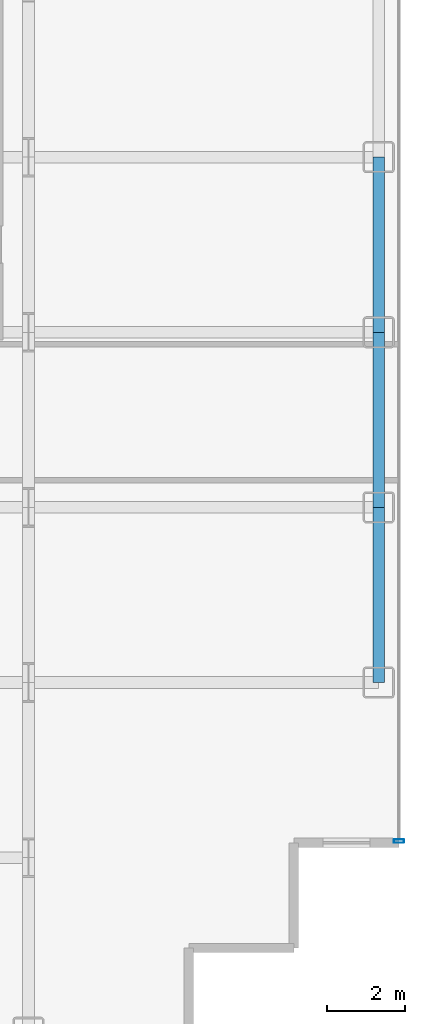
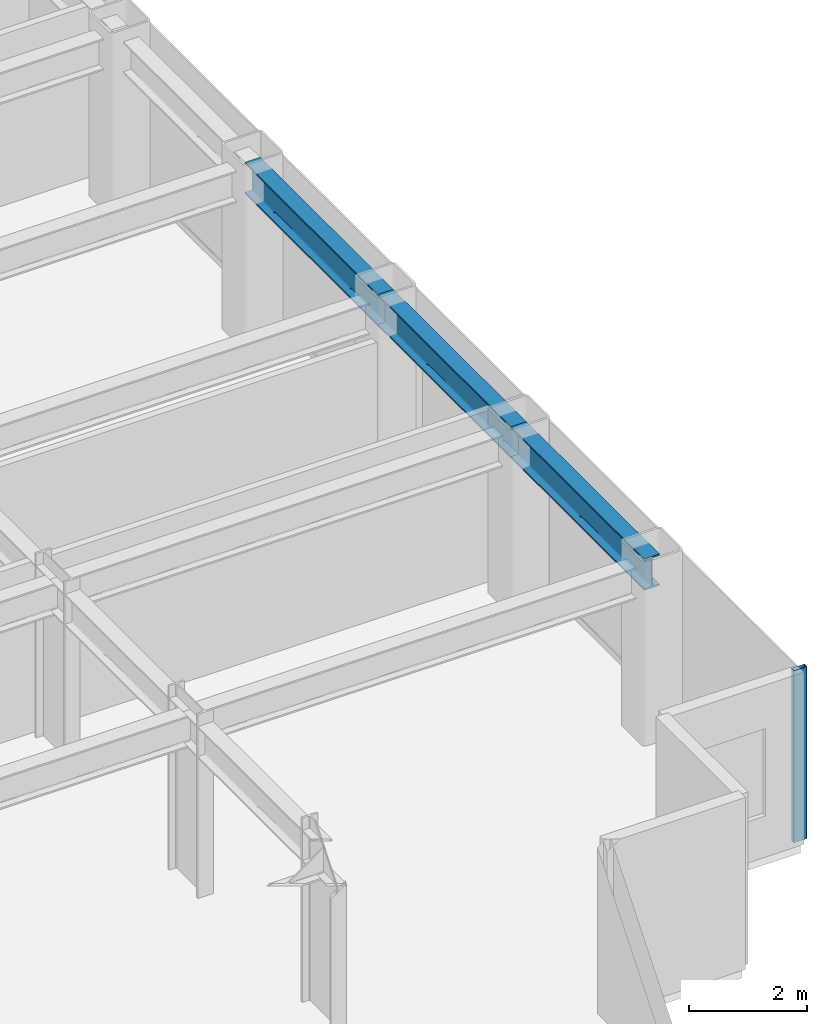
# One storey, part 16 of 26: 3 beams, 1 member, 1 element without a shape of its own.
"""IFC4 building model written with IfcOpenShell, lengths in metres."""

from ifc_helpers import new_model, si_unit, direction, frame, origin, origin_2d, place, context, subcontext, project, spatial, hollow_rectangle, i_section, extrude, source, transform, mapped, material, layer, layer_set, material_profile, profile_set, type_object, element, aggregate, save


model = new_model("IFC4")

# Units and contexts
model_context = context("Model", 3, precision=1e-05, world=origin(), true_north=direction((0.0, 1.0)))
body_context = subcontext(model_context, "Body", "Model", "MODEL_VIEW")
ifc_project = project(units=[si_unit("LENGTHUNIT", "METRE"), si_unit("AREAUNIT", "SQUARE_METRE"), si_unit("VOLUMEUNIT", "CUBIC_METRE"), si_unit("PLANEANGLEUNIT", "RADIAN"), si_unit("MASSUNIT", "GRAM", prefix="KILO")], contexts=[model_context])

# Site, building, storey
site_placement = place(None, origin())
site = spatial("IfcSite", under=ifc_project, at=site_placement, CompositionType="ELEMENT")
building_placement = place(site_placement, origin())
building = spatial("IfcBuilding", under=site, at=building_placement, Name="Nefas-Gora Pilgrimage Tower", CompositionType="ELEMENT")
storey_placement = place(building_placement, frame((0.0, 0.0, 132.60009765625)))
storey = spatial("IfcBuildingStorey", under=building, at=storey_placement, Name="L32", CompositionType="ELEMENT", Elevation=132.60009765625)

# Beams
ifc_material_1 = material(Name="Steel S355", Category="steel")
ifc_material_profile_1 = material_profile(ifc_material_1, i_section(OverallWidth=0.300048828125, OverallDepth=0.64990234375, WebThickness=0.01611328125, FlangeThickness=0.031005859375, FilletRadius=0.027099609375, at=origin_2d()), Name="HEB 650")
ifc_profile_set_1 = profile_set([ifc_material_profile_1], Name="Steel S355")
beam_type = type_object("IfcBeamType", Name="BM-SPN-HEB500", PredefinedType="SPANDREL", material=ifc_profile_set_1)
shared_shape_1 = source(origin(), body_context, "Body", "SweptSolid", [
    extrude(i_section(OverallWidth=0.300048828125, OverallDepth=0.64990234375, WebThickness=0.01611328125, FlangeThickness=0.031005859375, FilletRadius=0.027099609375, at=origin_2d()), origin(), (0.0, 0.0, 1.0), 4.5),
])
for number, where, z_axis, x_axis, name in (
    (1, (33.75, -13.5, 3.224853515625), (0.0, 1.0, 0.0), (-1.0, 0.0, 0.0), "L32 SP-02 beam"),
    (2, (33.75, -9.0, 3.224853515625), (0.0, 1.0, 0.0), (-1.0, 0.0, 0.0), "L32 SP-02 beam"),
    (3, (33.75, -4.5, 3.224853515625), (0.0, 1.0, 0.0), (-1.0, 0.0, 0.0), "L32 SP-02 beam"),
):
    element("IfcBeam", number, at=place(storey_placement, frame(where, z_axis=z_axis, x_axis=x_axis)), inside=storey, type_object=beam_type, Name=name, PredefinedType="SPANDREL", context=body_context, shape_type="MappedRepresentation", body=[
        mapped(shared_shape_1, transform((0.0, 0.0, 0.0), x_axis=(1.0, 0.0, 0.0), y_axis=(0.0, 1.0, 0.0), z_axis=(0.0, 0.0, 1.0), scale=1.0)),
    ])

# Curtain wall, member
ifc_material_2 = material(Name="Dark ceramic-fritted solar-control aluminium-glass curtain wall", Category="aluminium")
ifc_layer = layer(ifc_material_2, 0.219970703125)
ifc_layer_set = layer_set([ifc_layer], Name="Dark ceramic-fritted solar-control aluminium-glass curtain wall")
curtain_wall_type = type_object("IfcCurtainWallType", Name="CW-SYS-2", PredefinedType="NOTDEFINED", material=ifc_layer_set)
curtain_wall_placement = place(storey_placement, origin())
curtain_wall = element("IfcCurtainWall", 4, at=curtain_wall_placement, inside=storey, type_object=curtain_wall_type, Name="L32 Unitised Curtain Wall CW2", PredefinedType="NOTDEFINED")
ifc_material_3 = material(Name="Anodised architectural aluminium", Category="aluminium")
ifc_material_profile_2 = material_profile(ifc_material_3, hollow_rectangle(XDim=0.090087890625, YDim=0.260009765625, WallThickness=0.006103515625, InnerFilletRadius=0.006103515625, OuterFilletRadius=0.011962890625, at=origin_2d()), Name="ALU MULLION 90x260")
ifc_profile_set_2 = profile_set([ifc_material_profile_2], Name="Anodised architectural aluminium")
member_type = type_object("IfcMemberType", Name="CWM-MUL-2", PredefinedType="MULLION", material=ifc_profile_set_2)
shared_shape_2 = source(origin(), body_context, "Body", "SweptSolid", [
    extrude(hollow_rectangle(XDim=0.090087890625, YDim=0.260009765625, WallThickness=0.006103515625, InnerFilletRadius=0.006103515625, OuterFilletRadius=0.011962890625, at=origin_2d()), origin(), (0.0, 0.0, 1.0), 3.5498046875),
])
member_placement = place(storey_placement, frame((34.27001953125, -17.574951171875, 0.0), z_axis=(0.0, 0.0, 1.0), x_axis=(0.0, 1.0, 0.0)))
member = element("IfcMember", 5, at=member_placement, type_object=member_type, Name="CW2 Mullion 1", PredefinedType="MULLION", context=body_context, shape_type="MappedRepresentation", body=[
    mapped(shared_shape_2, transform((0.0, 0.0, 0.0), x_axis=(1.0, 0.0, 0.0), y_axis=(0.0, 1.0, 0.0), z_axis=(0.0, 0.0, 1.0), scale=1.0)),
])
aggregate(curtain_wall, [member])

save(model, "model.ifc")
